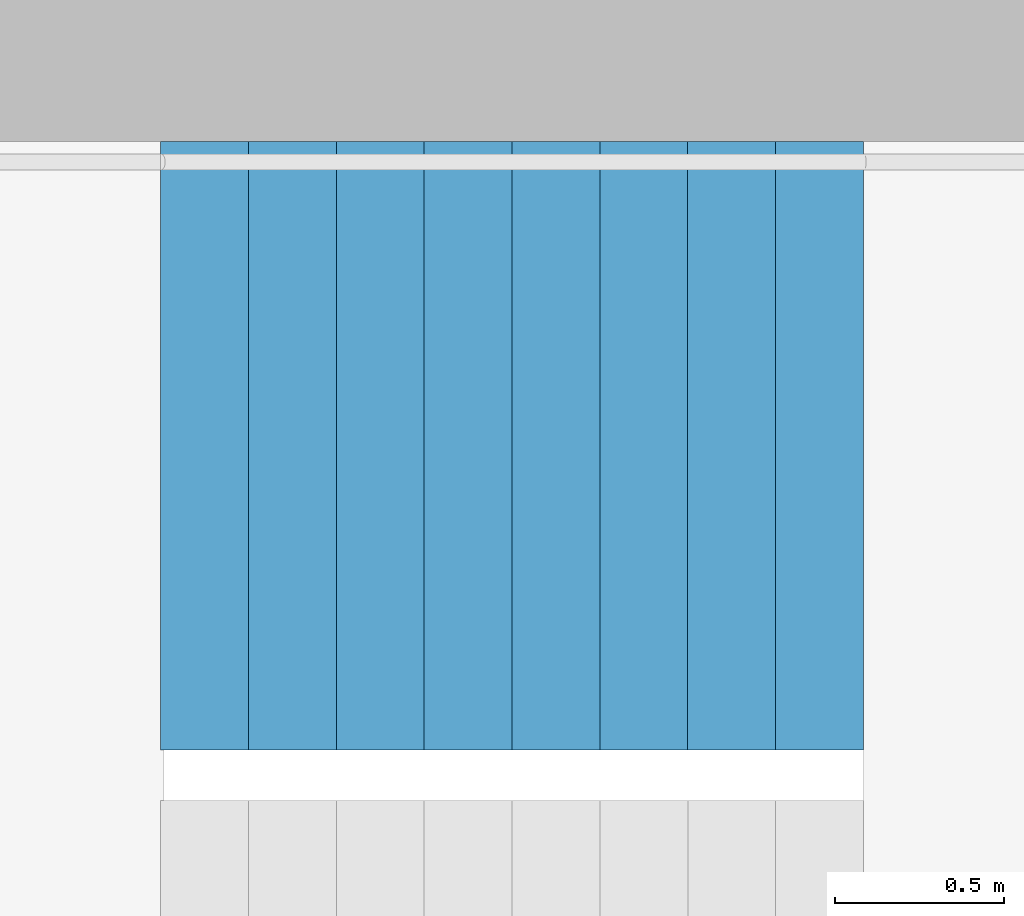
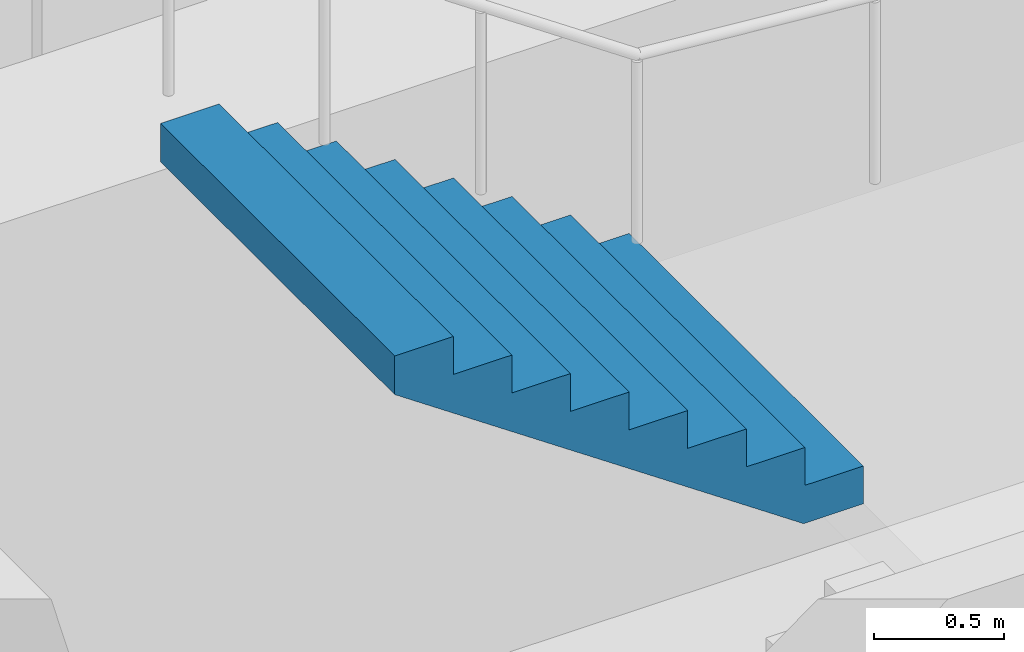
# One storey, part 24 of 29: 1 stair flight, 1 element without a shape of its own.
"""IFC4 building model written with IfcOpenShell, lengths in metres."""

from ifc_helpers import new_model, si_unit, direction, frame, origin, place, context, subcontext, project, spatial, triangles, material, type_object, element, aggregate, save


model = new_model("IFC4")

# Units and contexts
model_context = context("Model", 3, precision=1e-05, world=origin(), true_north=direction((0.0, 1.0)))
body_context = subcontext(model_context, "Body", "Model", "MODEL_VIEW")
ifc_project = project(units=[si_unit("LENGTHUNIT", "METRE"), si_unit("AREAUNIT", "SQUARE_METRE"), si_unit("VOLUMEUNIT", "CUBIC_METRE"), si_unit("PLANEANGLEUNIT", "RADIAN"), si_unit("MASSUNIT", "GRAM", prefix="KILO")], contexts=[model_context])

# Site, building, storey
site_placement = place(None, origin())
site = spatial("IfcSite", under=ifc_project, at=site_placement, CompositionType="ELEMENT")
building_placement = place(site_placement, origin())
building = spatial("IfcBuilding", under=site, at=building_placement, Name="Hakoniwa Tower and Hamabe Station Hall", CompositionType="ELEMENT")
storey_placement = place(building_placement, frame((0.0, 0.0, 101.0)))
storey = spatial("IfcBuildingStorey", under=building, at=storey_placement, Name="L28", CompositionType="ELEMENT", Elevation=101.0)

# Stair, stair flight
ifc_material_1 = material(Name="Concrete C40", Category="concrete")
stair_type = type_object("IfcStairType", Name="ESCAPE STAIR 1800", PredefinedType="HALF_TURN_STAIR", material=ifc_material_1)
stair_placement = place(storey_placement, origin())
stair = element("IfcStair", 1, at=stair_placement, inside=storey, type_object=stair_type, Name="Escape stair ST-1 L28", PredefinedType="HALF_TURN_STAIR")
ifc_material_2 = material(Name="Concrete C40", Category="concrete")
stair_flight_type = type_object("IfcStairFlightType", Name="STAIR FLIGHT 1800", PredefinedType="STRAIGHT", material=ifc_material_2)
stair_flight_placement = place(storey_placement, frame((-22.320068359375, 6.60009765625, 1.60009765625), z_axis=(0.0, 0.0, 1.0), x_axis=(-1.0, 0.0, 0.0)))
stair_flight = element("IfcStairFlight", 2, at=stair_flight_placement, type_object=stair_flight_type, Name="ST-1 flight 2", NumberOfRisers=9, NumberOfTreads=8, PredefinedType="STRAIGHT", RiserHeight=0.177777778, TreadLength=0.26, context=body_context, shape_type="Tessellation", body=[
    triangles([(0.0, 0.89990234375, 0.0), (0.260009765625, 0.89990234375, 0.0), (0.265625, 0.89990234375, 0.0), (0.52001953125, 0.89990234375, 0.174072265625), (0.780029296875, 0.89990234375, 0.351806640625), (1.0400390625, 0.89990234375, 0.529541015625), (1.300048828125, 0.89990234375, 0.707275390625), (1.56005859375, 0.89990234375, 0.885009765625), (1.820068359375, 0.89990234375, 1.062744140625), (2.080078125, 0.89990234375, 1.24072265625), (2.080078125, 0.89990234375, 1.422119140625), (1.820068359375, 0.89990234375, 1.422119140625), (1.820068359375, 0.89990234375, 1.244384765625), (1.56005859375, 0.89990234375, 1.244384765625), (1.56005859375, 0.89990234375, 1.066650390625), (1.300048828125, 0.89990234375, 1.066650390625), (1.300048828125, 0.89990234375, 0.888916015625), (1.0400390625, 0.89990234375, 0.888916015625), (1.0400390625, 0.89990234375, 0.711181640625), (0.780029296875, 0.89990234375, 0.711181640625), (0.780029296875, 0.89990234375, 0.533447265625), (0.52001953125, 0.89990234375, 0.533447265625), (0.52001953125, 0.89990234375, 0.35546875), (0.265625, 0.89990234375, 0.35546875), (0.260009765625, 0.89990234375, 0.35546875), (0.260009765625, 0.89990234375, 0.177734375), (0.0, 0.89990234375, 0.177734375), (0.0, 0.06005859375, 0.0), (0.260009765625, 0.06005859375, 0.0), (0.265625, 0.06005859375, 0.0), (0.52001953125, 0.06005859375, 0.174072265625), (0.780029296875, 0.06005859375, 0.351806640625), (1.0400390625, 0.06005859375, 0.529541015625), (1.300048828125, 0.06005859375, 0.707275390625), (1.56005859375, 0.06005859375, 0.885009765625), (1.820068359375, 0.06005859375, 1.062744140625), (2.080078125, 0.06005859375, 1.24072265625), (2.080078125, 0.06005859375, 1.422119140625), (1.820068359375, 0.06005859375, 1.422119140625), (1.820068359375, 0.06005859375, 1.244384765625), (1.56005859375, 0.06005859375, 1.244384765625), (1.56005859375, 0.06005859375, 1.066650390625), (1.300048828125, 0.06005859375, 1.066650390625), (1.300048828125, 0.06005859375, 0.888916015625), (1.0400390625, 0.06005859375, 0.888916015625), (1.0400390625, 0.06005859375, 0.711181640625), (0.780029296875, 0.06005859375, 0.711181640625), (0.780029296875, 0.06005859375, 0.533447265625), (0.52001953125, 0.06005859375, 0.533447265625), (0.52001953125, 0.06005859375, 0.35546875), (0.265625, 0.06005859375, 0.35546875), (0.260009765625, 0.06005859375, 0.35546875), (0.260009765625, 0.06005859375, 0.177734375), (0.0, 0.06005859375, 0.177734375), (0.0, 0.04296875, 0.0), (0.260009765625, 0.04296875, 0.0), (0.265625, 0.04296875, 0.0), (0.52001953125, 0.04296875, 0.174072265625), (0.780029296875, 0.04296875, 0.351806640625), (1.0400390625, 0.04296875, 0.529541015625), (1.300048828125, 0.04296875, 0.707275390625), (1.56005859375, 0.04296875, 0.885009765625), (1.820068359375, 0.04296875, 1.062744140625), (2.080078125, 0.04296875, 1.24072265625), (2.080078125, 0.04296875, 1.422119140625), (1.820068359375, 0.04296875, 1.422119140625), (1.820068359375, 0.04296875, 1.244384765625), (1.56005859375, 0.04296875, 1.244384765625), (1.56005859375, 0.04296875, 1.066650390625), (1.300048828125, 0.04296875, 1.066650390625), (1.300048828125, 0.04296875, 0.888916015625), (1.0400390625, 0.04296875, 0.888916015625), (1.0400390625, 0.04296875, 0.711181640625), (0.780029296875, 0.04296875, 0.711181640625), (0.780029296875, 0.04296875, 0.533447265625), (0.52001953125, 0.04296875, 0.533447265625), (0.52001953125, 0.04296875, 0.35546875), (0.265625, 0.04296875, 0.35546875), (0.260009765625, 0.04296875, 0.35546875), (0.260009765625, 0.04296875, 0.177734375), (0.0, 0.04296875, 0.177734375), (0.0, 0.025634765625, 0.0), (0.260009765625, 0.025634765625, 0.0), (0.265625, 0.025634765625, 0.0), (0.52001953125, 0.025634765625, 0.174072265625), (0.780029296875, 0.025634765625, 0.351806640625), (1.0400390625, 0.025634765625, 0.529541015625), (1.300048828125, 0.025634765625, 0.707275390625), (1.56005859375, 0.025634765625, 0.885009765625), (1.820068359375, 0.025634765625, 1.062744140625), (2.080078125, 0.025634765625, 1.24072265625), (2.080078125, 0.025634765625, 1.422119140625), (1.820068359375, 0.025634765625, 1.422119140625), (1.820068359375, 0.025634765625, 1.244384765625), (1.56005859375, 0.025634765625, 1.244384765625), (1.56005859375, 0.025634765625, 1.066650390625), (1.300048828125, 0.025634765625, 1.066650390625), (1.300048828125, 0.025634765625, 0.888916015625), (1.0400390625, 0.025634765625, 0.888916015625), (1.0400390625, 0.025634765625, 0.711181640625), (0.780029296875, 0.025634765625, 0.711181640625), (0.780029296875, 0.025634765625, 0.533447265625), (0.52001953125, 0.025634765625, 0.533447265625), (0.52001953125, 0.025634765625, 0.35546875), (0.265625, 0.025634765625, 0.35546875), (0.260009765625, 0.025634765625, 0.35546875), (0.260009765625, 0.025634765625, 0.177734375), (0.0, 0.025634765625, 0.177734375), (0.0, 0.008544921875, 0.0), (0.260009765625, 0.008544921875, 0.0), (0.265625, 0.008544921875, 0.0), (0.52001953125, 0.008544921875, 0.174072265625), (0.780029296875, 0.008544921875, 0.351806640625), (1.0400390625, 0.008544921875, 0.529541015625), (1.300048828125, 0.008544921875, 0.707275390625), (1.56005859375, 0.008544921875, 0.885009765625), (1.820068359375, 0.008544921875, 1.062744140625), (2.080078125, 0.008544921875, 1.24072265625), (2.080078125, 0.008544921875, 1.422119140625), (1.820068359375, 0.008544921875, 1.422119140625), (1.820068359375, 0.008544921875, 1.244384765625), (1.56005859375, 0.008544921875, 1.244384765625), (1.56005859375, 0.008544921875, 1.066650390625), (1.300048828125, 0.008544921875, 1.066650390625), (1.300048828125, 0.008544921875, 0.888916015625), (1.0400390625, 0.008544921875, 0.888916015625), (1.0400390625, 0.008544921875, 0.711181640625), (0.780029296875, 0.008544921875, 0.711181640625), (0.780029296875, 0.008544921875, 0.533447265625), (0.52001953125, 0.008544921875, 0.533447265625), (0.52001953125, 0.008544921875, 0.35546875), (0.265625, 0.008544921875, 0.35546875), (0.260009765625, 0.008544921875, 0.35546875), (0.260009765625, 0.008544921875, 0.177734375), (0.0, 0.008544921875, 0.177734375), (0.0, -0.008544921875, 0.0), (0.260009765625, -0.008544921875, 0.0), (0.265625, -0.008544921875, 0.0), (0.52001953125, -0.008544921875, 0.174072265625), (0.780029296875, -0.008544921875, 0.351806640625), (1.0400390625, -0.008544921875, 0.529541015625), (1.300048828125, -0.008544921875, 0.707275390625), (1.56005859375, -0.008544921875, 0.885009765625), (1.820068359375, -0.008544921875, 1.062744140625), (2.080078125, -0.008544921875, 1.24072265625), (2.080078125, -0.008544921875, 1.422119140625), (1.820068359375, -0.008544921875, 1.422119140625), (1.820068359375, -0.008544921875, 1.244384765625), (1.56005859375, -0.008544921875, 1.244384765625), (1.56005859375, -0.008544921875, 1.066650390625), (1.300048828125, -0.008544921875, 1.066650390625), (1.300048828125, -0.008544921875, 0.888916015625), (1.0400390625, -0.008544921875, 0.888916015625), (1.0400390625, -0.008544921875, 0.711181640625), (0.780029296875, -0.008544921875, 0.711181640625), (0.780029296875, -0.008544921875, 0.533447265625), (0.52001953125, -0.008544921875, 0.533447265625), (0.52001953125, -0.008544921875, 0.35546875), (0.265625, -0.008544921875, 0.35546875), (0.260009765625, -0.008544921875, 0.35546875), (0.260009765625, -0.008544921875, 0.177734375), (0.0, -0.008544921875, 0.177734375), (0.0, -0.025634765625, 0.0), (0.260009765625, -0.025634765625, 0.0), (0.265625, -0.025634765625, 0.0), (0.52001953125, -0.025634765625, 0.174072265625), (0.780029296875, -0.025634765625, 0.351806640625), (1.0400390625, -0.025634765625, 0.529541015625), (1.300048828125, -0.025634765625, 0.707275390625), (1.56005859375, -0.025634765625, 0.885009765625), (1.820068359375, -0.025634765625, 1.062744140625), (2.080078125, -0.025634765625, 1.24072265625), (2.080078125, -0.025634765625, 1.422119140625), (1.820068359375, -0.025634765625, 1.422119140625), (1.820068359375, -0.025634765625, 1.244384765625), (1.56005859375, -0.025634765625, 1.244384765625), (1.56005859375, -0.025634765625, 1.066650390625), (1.300048828125, -0.025634765625, 1.066650390625), (1.300048828125, -0.025634765625, 0.888916015625), (1.0400390625, -0.025634765625, 0.888916015625), (1.0400390625, -0.025634765625, 0.711181640625), (0.780029296875, -0.025634765625, 0.711181640625), (0.780029296875, -0.025634765625, 0.533447265625), (0.52001953125, -0.025634765625, 0.533447265625), (0.52001953125, -0.025634765625, 0.35546875), (0.265625, -0.025634765625, 0.35546875), (0.260009765625, -0.025634765625, 0.35546875), (0.260009765625, -0.025634765625, 0.177734375), (0.0, -0.025634765625, 0.177734375), (0.0, -0.04296875, 0.0), (0.260009765625, -0.04296875, 0.0), (0.265625, -0.04296875, 0.0), (0.52001953125, -0.04296875, 0.174072265625), (0.780029296875, -0.04296875, 0.351806640625), (1.0400390625, -0.04296875, 0.529541015625), (1.300048828125, -0.04296875, 0.707275390625), (1.56005859375, -0.04296875, 0.885009765625), (1.820068359375, -0.04296875, 1.062744140625), (2.080078125, -0.04296875, 1.24072265625), (2.080078125, -0.04296875, 1.422119140625), (1.820068359375, -0.04296875, 1.422119140625), (1.820068359375, -0.04296875, 1.244384765625), (1.56005859375, -0.04296875, 1.244384765625), (1.56005859375, -0.04296875, 1.066650390625), (1.300048828125, -0.04296875, 1.066650390625), (1.300048828125, -0.04296875, 0.888916015625), (1.0400390625, -0.04296875, 0.888916015625), (1.0400390625, -0.04296875, 0.711181640625), (0.780029296875, -0.04296875, 0.711181640625), (0.780029296875, -0.04296875, 0.533447265625), (0.52001953125, -0.04296875, 0.533447265625), (0.52001953125, -0.04296875, 0.35546875), (0.265625, -0.04296875, 0.35546875), (0.260009765625, -0.04296875, 0.35546875), (0.260009765625, -0.04296875, 0.177734375), (0.0, -0.04296875, 0.177734375), (0.0, -0.06005859375, 0.0), (0.260009765625, -0.06005859375, 0.0), (0.265625, -0.06005859375, 0.0), (0.52001953125, -0.06005859375, 0.174072265625), (0.780029296875, -0.06005859375, 0.351806640625), (1.0400390625, -0.06005859375, 0.529541015625), (1.300048828125, -0.06005859375, 0.707275390625), (1.56005859375, -0.06005859375, 0.885009765625), (1.820068359375, -0.06005859375, 1.062744140625), (2.080078125, -0.06005859375, 1.24072265625), (2.080078125, -0.06005859375, 1.422119140625), (1.820068359375, -0.06005859375, 1.422119140625), (1.820068359375, -0.06005859375, 1.244384765625), (1.56005859375, -0.06005859375, 1.244384765625), (1.56005859375, -0.06005859375, 1.066650390625), (1.300048828125, -0.06005859375, 1.066650390625), (1.300048828125, -0.06005859375, 0.888916015625), (1.0400390625, -0.06005859375, 0.888916015625), (1.0400390625, -0.06005859375, 0.711181640625), (0.780029296875, -0.06005859375, 0.711181640625), (0.780029296875, -0.06005859375, 0.533447265625), (0.52001953125, -0.06005859375, 0.533447265625), (0.52001953125, -0.06005859375, 0.35546875), (0.265625, -0.06005859375, 0.35546875), (0.260009765625, -0.06005859375, 0.35546875), (0.260009765625, -0.06005859375, 0.177734375), (0.0, -0.06005859375, 0.177734375), (0.0, -0.89990234375, 0.0), (0.260009765625, -0.89990234375, 0.0), (0.265625, -0.89990234375, 0.0), (0.52001953125, -0.89990234375, 0.174072265625), (0.780029296875, -0.89990234375, 0.351806640625), (1.0400390625, -0.89990234375, 0.529541015625), (1.300048828125, -0.89990234375, 0.707275390625), (1.56005859375, -0.89990234375, 0.885009765625), (1.820068359375, -0.89990234375, 1.062744140625), (2.080078125, -0.89990234375, 1.24072265625), (2.080078125, -0.89990234375, 1.422119140625), (1.820068359375, -0.89990234375, 1.422119140625), (1.820068359375, -0.89990234375, 1.244384765625), (1.56005859375, -0.89990234375, 1.244384765625), (1.56005859375, -0.89990234375, 1.066650390625), (1.300048828125, -0.89990234375, 1.066650390625), (1.300048828125, -0.89990234375, 0.888916015625), (1.0400390625, -0.89990234375, 0.888916015625), (1.0400390625, -0.89990234375, 0.711181640625), (0.780029296875, -0.89990234375, 0.711181640625), (0.780029296875, -0.89990234375, 0.533447265625), (0.52001953125, -0.89990234375, 0.533447265625), (0.52001953125, -0.89990234375, 0.35546875), (0.265625, -0.89990234375, 0.35546875), (0.260009765625, -0.89990234375, 0.35546875), (0.260009765625, -0.89990234375, 0.177734375), (0.0, -0.89990234375, 0.177734375)], [[2, 27, 26], [245, 269, 270], [2, 1, 27], [245, 270, 244], [3, 25, 24], [246, 267, 268], [3, 26, 25], [246, 268, 269], [3, 2, 26], [246, 269, 245], [4, 24, 23], [247, 266, 267], [4, 3, 24], [247, 267, 246], [5, 22, 21], [248, 264, 265], [5, 23, 22], [248, 265, 266], [5, 4, 23], [248, 266, 247], [6, 20, 19], [249, 262, 263], [6, 21, 20], [249, 263, 264], [6, 5, 21], [249, 264, 248], [7, 18, 17], [250, 260, 261], [7, 19, 18], [250, 261, 262], [7, 6, 19], [250, 262, 249], [8, 16, 15], [251, 258, 259], [8, 17, 16], [251, 259, 260], [8, 7, 17], [251, 260, 250], [9, 14, 13], [252, 256, 257], [9, 15, 14], [252, 257, 258], [9, 8, 15], [252, 258, 251], [10, 12, 11], [253, 254, 255], [10, 13, 12], [253, 255, 256], [10, 9, 13], [253, 256, 252], [1, 2, 29], [1, 29, 28], [28, 29, 56], [28, 56, 55], [55, 56, 83], [55, 83, 82], [82, 83, 110], [82, 110, 109], [109, 110, 137], [109, 137, 136], [136, 137, 164], [136, 164, 163], [163, 164, 191], [163, 191, 190], [190, 191, 218], [190, 218, 217], [217, 218, 245], [217, 245, 244], [2, 3, 30], [2, 30, 29], [29, 30, 57], [29, 57, 56], [56, 57, 84], [56, 84, 83], [83, 84, 111], [83, 111, 110], [110, 111, 138], [110, 138, 137], [137, 138, 165], [137, 165, 164], [164, 165, 192], [164, 192, 191], [191, 192, 219], [191, 219, 218], [218, 219, 246], [218, 246, 245], [3, 4, 31], [3, 31, 30], [30, 31, 58], [30, 58, 57], [57, 58, 85], [57, 85, 84], [84, 85, 112], [84, 112, 111], [111, 112, 139], [111, 139, 138], [138, 139, 166], [138, 166, 165], [165, 166, 193], [165, 193, 192], [192, 193, 220], [192, 220, 219], [219, 220, 247], [219, 247, 246], [4, 5, 32], [4, 32, 31], [31, 32, 59], [31, 59, 58], [58, 59, 86], [58, 86, 85], [85, 86, 113], [85, 113, 112], [112, 113, 140], [112, 140, 139], [139, 140, 167], [139, 167, 166], [166, 167, 194], [166, 194, 193], [193, 194, 221], [193, 221, 220], [220, 221, 248], [220, 248, 247], [5, 6, 33], [5, 33, 32], [32, 33, 60], [32, 60, 59], [59, 60, 87], [59, 87, 86], [86, 87, 114], [86, 114, 113], [113, 114, 141], [113, 141, 140], [140, 141, 168], [140, 168, 167], [167, 168, 195], [167, 195, 194], [194, 195, 222], [194, 222, 221], [221, 222, 249], [221, 249, 248], [6, 7, 34], [6, 34, 33], [33, 34, 61], [33, 61, 60], [60, 61, 88], [60, 88, 87], [87, 88, 115], [87, 115, 114], [114, 115, 142], [114, 142, 141], [141, 142, 169], [141, 169, 168], [168, 169, 196], [168, 196, 195], [195, 196, 223], [195, 223, 222], [222, 223, 250], [222, 250, 249], [7, 8, 35], [7, 35, 34], [34, 35, 62], [34, 62, 61], [61, 62, 89], [61, 89, 88], [88, 89, 116], [88, 116, 115], [115, 116, 143], [115, 143, 142], [142, 143, 170], [142, 170, 169], [169, 170, 197], [169, 197, 196], [196, 197, 224], [196, 224, 223], [223, 224, 251], [223, 251, 250], [8, 9, 36], [8, 36, 35], [35, 36, 63], [35, 63, 62], [62, 63, 90], [62, 90, 89], [89, 90, 117], [89, 117, 116], [116, 117, 144], [116, 144, 143], [143, 144, 171], [143, 171, 170], [170, 171, 198], [170, 198, 197], [197, 198, 225], [197, 225, 224], [224, 225, 252], [224, 252, 251], [9, 10, 37], [9, 37, 36], [36, 37, 64], [36, 64, 63], [63, 64, 91], [63, 91, 90], [90, 91, 118], [90, 118, 117], [117, 118, 145], [117, 145, 144], [144, 145, 172], [144, 172, 171], [171, 172, 199], [171, 199, 198], [198, 199, 226], [198, 226, 225], [225, 226, 253], [225, 253, 252], [10, 11, 38], [10, 38, 37], [37, 38, 65], [37, 65, 64], [64, 65, 92], [64, 92, 91], [91, 92, 119], [91, 119, 118], [118, 119, 146], [118, 146, 145], [145, 146, 173], [145, 173, 172], [172, 173, 200], [172, 200, 199], [199, 200, 227], [199, 227, 226], [226, 227, 254], [226, 254, 253], [11, 12, 39], [11, 39, 38], [38, 39, 66], [38, 66, 65], [65, 66, 93], [65, 93, 92], [92, 93, 120], [92, 120, 119], [119, 120, 147], [119, 147, 146], [146, 147, 174], [146, 174, 173], [173, 174, 201], [173, 201, 200], [200, 201, 228], [200, 228, 227], [227, 228, 255], [227, 255, 254], [12, 13, 40], [12, 40, 39], [39, 40, 67], [39, 67, 66], [66, 67, 94], [66, 94, 93], [93, 94, 121], [93, 121, 120], [120, 121, 148], [120, 148, 147], [147, 148, 175], [147, 175, 174], [174, 175, 202], [174, 202, 201], [201, 202, 229], [201, 229, 228], [228, 229, 256], [228, 256, 255], [13, 14, 41], [13, 41, 40], [40, 41, 68], [40, 68, 67], [67, 68, 95], [67, 95, 94], [94, 95, 122], [94, 122, 121], [121, 122, 149], [121, 149, 148], [148, 149, 176], [148, 176, 175], [175, 176, 203], [175, 203, 202], [202, 203, 230], [202, 230, 229], [229, 230, 257], [229, 257, 256], [14, 15, 42], [14, 42, 41], [41, 42, 69], [41, 69, 68], [68, 69, 96], [68, 96, 95], [95, 96, 123], [95, 123, 122], [122, 123, 150], [122, 150, 149], [149, 150, 177], [149, 177, 176], [176, 177, 204], [176, 204, 203], [203, 204, 231], [203, 231, 230], [230, 231, 258], [230, 258, 257], [15, 16, 43], [15, 43, 42], [42, 43, 70], [42, 70, 69], [69, 70, 97], [69, 97, 96], [96, 97, 124], [96, 124, 123], [123, 124, 151], [123, 151, 150], [150, 151, 178], [150, 178, 177], [177, 178, 205], [177, 205, 204], [204, 205, 232], [204, 232, 231], [231, 232, 259], [231, 259, 258], [16, 17, 44], [16, 44, 43], [43, 44, 71], [43, 71, 70], [70, 71, 98], [70, 98, 97], [97, 98, 125], [97, 125, 124], [124, 125, 152], [124, 152, 151], [151, 152, 179], [151, 179, 178], [178, 179, 206], [178, 206, 205], [205, 206, 233], [205, 233, 232], [232, 233, 260], [232, 260, 259], [17, 18, 45], [17, 45, 44], [44, 45, 72], [44, 72, 71], [71, 72, 99], [71, 99, 98], [98, 99, 126], [98, 126, 125], [125, 126, 153], [125, 153, 152], [152, 153, 180], [152, 180, 179], [179, 180, 207], [179, 207, 206], [206, 207, 234], [206, 234, 233], [233, 234, 261], [233, 261, 260], [18, 19, 46], [18, 46, 45], [45, 46, 73], [45, 73, 72], [72, 73, 100], [72, 100, 99], [99, 100, 127], [99, 127, 126], [126, 127, 154], [126, 154, 153], [153, 154, 181], [153, 181, 180], [180, 181, 208], [180, 208, 207], [207, 208, 235], [207, 235, 234], [234, 235, 262], [234, 262, 261], [19, 20, 47], [19, 47, 46], [46, 47, 74], [46, 74, 73], [73, 74, 101], [73, 101, 100], [100, 101, 128], [100, 128, 127], [127, 128, 155], [127, 155, 154], [154, 155, 182], [154, 182, 181], [181, 182, 209], [181, 209, 208], [208, 209, 236], [208, 236, 235], [235, 236, 263], [235, 263, 262], [20, 21, 48], [20, 48, 47], [47, 48, 75], [47, 75, 74], [74, 75, 102], [74, 102, 101], [101, 102, 129], [101, 129, 128], [128, 129, 156], [128, 156, 155], [155, 156, 183], [155, 183, 182], [182, 183, 210], [182, 210, 209], [209, 210, 237], [209, 237, 236], [236, 237, 264], [236, 264, 263], [21, 22, 49], [21, 49, 48], [48, 49, 76], [48, 76, 75], [75, 76, 103], [75, 103, 102], [102, 103, 130], [102, 130, 129], [129, 130, 157], [129, 157, 156], [156, 157, 184], [156, 184, 183], [183, 184, 211], [183, 211, 210], [210, 211, 238], [210, 238, 237], [237, 238, 265], [237, 265, 264], [22, 23, 50], [22, 50, 49], [49, 50, 77], [49, 77, 76], [76, 77, 104], [76, 104, 103], [103, 104, 131], [103, 131, 130], [130, 131, 158], [130, 158, 157], [157, 158, 185], [157, 185, 184], [184, 185, 212], [184, 212, 211], [211, 212, 239], [211, 239, 238], [238, 239, 266], [238, 266, 265], [23, 24, 51], [23, 51, 50], [50, 51, 78], [50, 78, 77], [77, 78, 105], [77, 105, 104], [104, 105, 132], [104, 132, 131], [131, 132, 159], [131, 159, 158], [158, 159, 186], [158, 186, 185], [185, 186, 213], [185, 213, 212], [212, 213, 240], [212, 240, 239], [239, 240, 267], [239, 267, 266], [24, 25, 52], [24, 52, 51], [51, 52, 79], [51, 79, 78], [78, 79, 106], [78, 106, 105], [105, 106, 133], [105, 133, 132], [132, 133, 160], [132, 160, 159], [159, 160, 187], [159, 187, 186], [186, 187, 214], [186, 214, 213], [213, 214, 241], [213, 241, 240], [240, 241, 268], [240, 268, 267], [25, 26, 53], [25, 53, 52], [52, 53, 80], [52, 80, 79], [79, 80, 107], [79, 107, 106], [106, 107, 134], [106, 134, 133], [133, 134, 161], [133, 161, 160], [160, 161, 188], [160, 188, 187], [187, 188, 215], [187, 215, 214], [214, 215, 242], [214, 242, 241], [241, 242, 269], [241, 269, 268], [26, 27, 54], [26, 54, 53], [53, 54, 81], [53, 81, 80], [80, 81, 108], [80, 108, 107], [107, 108, 135], [107, 135, 134], [134, 135, 162], [134, 162, 161], [161, 162, 189], [161, 189, 188], [188, 189, 216], [188, 216, 215], [215, 216, 243], [215, 243, 242], [242, 243, 270], [242, 270, 269], [27, 1, 28], [27, 28, 54], [54, 28, 55], [54, 55, 81], [81, 55, 82], [81, 82, 108], [108, 82, 109], [108, 109, 135], [135, 109, 136], [135, 136, 162], [162, 136, 163], [162, 163, 189], [189, 163, 190], [189, 190, 216], [216, 190, 217], [216, 217, 243], [243, 217, 244], [243, 244, 270]], closed=True),
])
aggregate(stair, [stair_flight])

save(model, "model.ifc")
